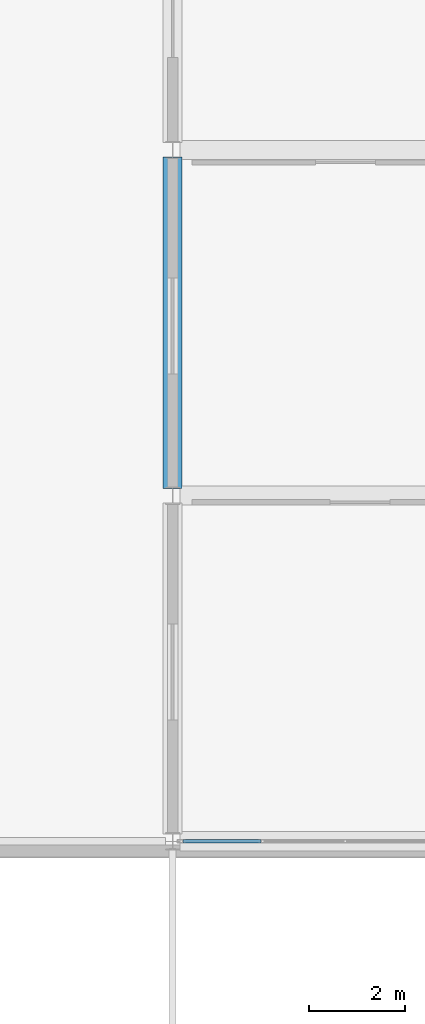
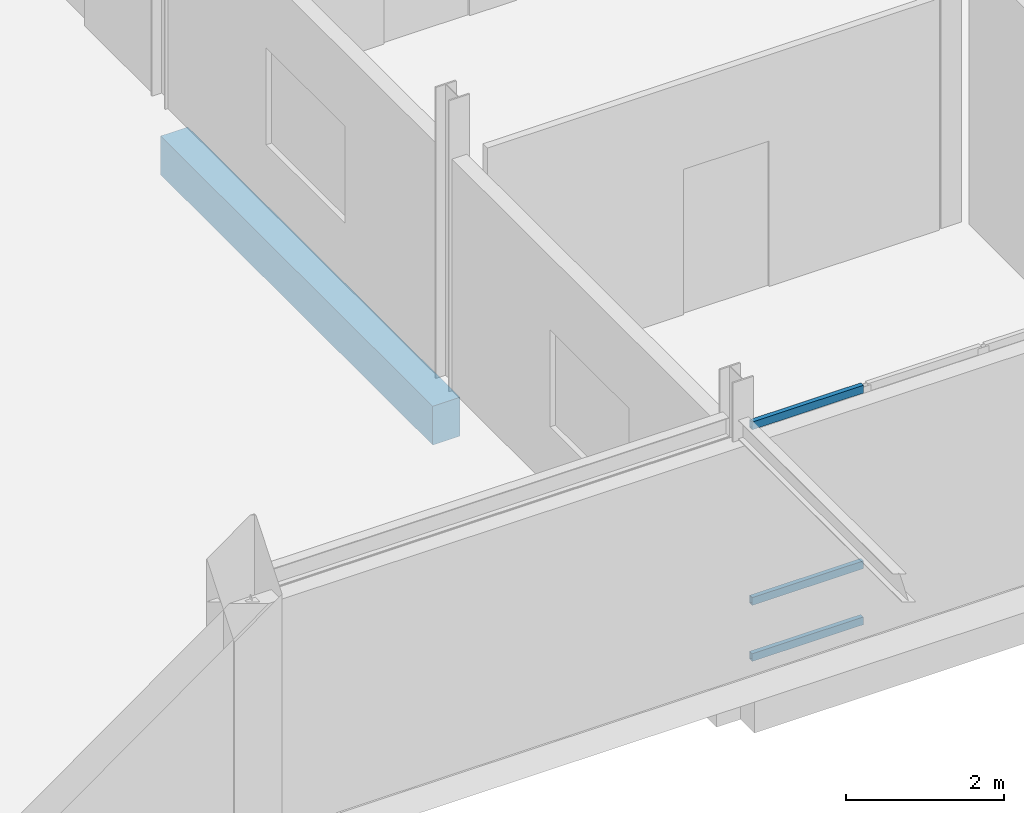
# One storey, part 28 of 139: 3 members, 1 beam, 1 element without a shape of its own.
"""IFC4 building model written with IfcOpenShell, lengths in metres."""

from ifc_helpers import new_model, si_unit, direction, frame, origin, origin_2d, place, context, subcontext, project, spatial, rectangle, hollow_rectangle, extrude, material, material_profile, profile_set, type_object, element, aggregate, save


model = new_model("IFC4")

# Units and contexts
model_context = context("Model", 3, precision=1e-05, world=origin(), true_north=direction((0.0, 1.0)))
body_context = subcontext(model_context, "Body", "Model", "MODEL_VIEW")
ifc_project = project(units=[si_unit("LENGTHUNIT", "METRE"), si_unit("AREAUNIT", "SQUARE_METRE"), si_unit("VOLUMEUNIT", "CUBIC_METRE"), si_unit("PLANEANGLEUNIT", "RADIAN"), si_unit("MASSUNIT", "GRAM", prefix="KILO")], contexts=[model_context])

# Site, building, storey
site_placement = place(None, origin())
site = spatial("IfcSite", under=ifc_project, at=site_placement, CompositionType="ELEMENT")
building_placement = place(site_placement, origin())
building = spatial("IfcBuilding", under=site, at=building_placement, Name="Suanplinth Sawtooth Commons", CompositionType="ELEMENT")
storey_placement = place(building_placement, origin())
storey = spatial("IfcBuildingStorey", under=building, at=storey_placement, Name="L00", CompositionType="ELEMENT", Elevation=0.0)

# Beam
ifc_material_1 = material(Name="Precast concrete C40/50", Category="concrete")
ifc_material_profile_1 = material_profile(ifc_material_1, rectangle(XDim=0.39990234375, YDim=0.60009765625, at=origin_2d()), Name="PC-GDR 400x600")
ifc_profile_set_1 = profile_set([ifc_material_profile_1], Name="Precast concrete C40/50")
beam_type = type_object("IfcBeamType", Name="B-05", PredefinedType="USERDEFINED", material=ifc_profile_set_1)
beam_placement = place(storey_placement, frame((14.39990234375, 57.75, -0.7099609375), z_axis=(0.0, 1.0, 0.0), x_axis=(-1.0, 0.0, 0.0)))
element("IfcBeam", 1, at=beam_placement, inside=storey, type_object=beam_type, Name="BMY-L00-MKT-2-8", ObjectType="GIRDER", PredefinedType="USERDEFINED", context=body_context, shape_type="SweptSolid", body=[
    extrude(rectangle(XDim=0.39990234375, YDim=0.60009765625, at=origin_2d()), origin(), (0.0, 0.0, 1.0), 6.89990234375),
])

# Curtain wall, members
ifc_material_2 = material(Name="Anodized aluminium and low-E glazing", Category="aluminium")
curtain_wall_type = type_object("IfcCurtainWallType", Name="CW-02", PredefinedType="USERDEFINED", material=ifc_material_2)
curtain_wall_placement = place(storey_placement, origin())
curtain_wall = element("IfcCurtainWall", 2, at=curtain_wall_placement, inside=storey, type_object=curtain_wall_type, Name="Curtain Wall CW-L00-MKT-S-2", ObjectType="CURTAIN WALL", PredefinedType="USERDEFINED")
ifc_material_3 = material(Name="Anodized aluminium 6063-T6", Category="aluminium")
ifc_material_profile_2 = material_profile(ifc_material_3, hollow_rectangle(XDim=0.06494140625, YDim=0.1201171875, WallThickness=0.00390625, at=origin_2d()), Name="ALU-TRN 65x120")
ifc_profile_set_2 = profile_set([ifc_material_profile_2], Name="Anodized aluminium 6063-T6")
member_type = type_object("IfcMemberType", Name="M-15", PredefinedType="USERDEFINED", material=ifc_profile_set_2)
member_1_placement = place(storey_placement, frame((14.614990234375, 50.39990234375, 0.032470703125), z_axis=(1.0, 0.0, 0.0), x_axis=(0.0, 1.0, 0.0)))
member_1 = element("IfcMember", 3, at=member_1_placement, type_object=member_type, Name="CW-02 transom 1.1", ObjectType="TRANSOM", PredefinedType="USERDEFINED", context=body_context, shape_type="SweptSolid", body=[
    extrude(hollow_rectangle(XDim=0.06494140625, YDim=0.1201171875, WallThickness=0.00390625, at=origin_2d()), origin(), (0.0, 0.0, 1.0), 1.62744140625),
])
member_2_placement = place(storey_placement, frame((14.614990234375, 50.39990234375, 0.89990234375), z_axis=(1.0, 0.0, 0.0), x_axis=(0.0, 1.0, 0.0)))
member_2 = element("IfcMember", 4, at=member_2_placement, type_object=member_type, Name="CW-02 transom 1.2", ObjectType="TRANSOM", PredefinedType="USERDEFINED", context=body_context, shape_type="SweptSolid", body=[
    extrude(hollow_rectangle(XDim=0.06494140625, YDim=0.1201171875, WallThickness=0.00390625, at=origin_2d()), origin(), (0.0, 0.0, 1.0), 1.62744140625),
])
member_3_placement = place(storey_placement, frame((14.614990234375, 50.39990234375, 3.617431640625), z_axis=(1.0, 0.0, 0.0), x_axis=(0.0, 1.0, 0.0)))
member_3 = element("IfcMember", 5, at=member_3_placement, type_object=member_type, Name="CW-02 transom 1.3", ObjectType="TRANSOM", PredefinedType="USERDEFINED", context=body_context, shape_type="SweptSolid", body=[
    extrude(hollow_rectangle(XDim=0.06494140625, YDim=0.1201171875, WallThickness=0.00390625, at=origin_2d()), origin(), (0.0, 0.0, 1.0), 1.62744140625),
])
aggregate(curtain_wall, [member_1, member_2, member_3])

save(model, "model.ifc")
